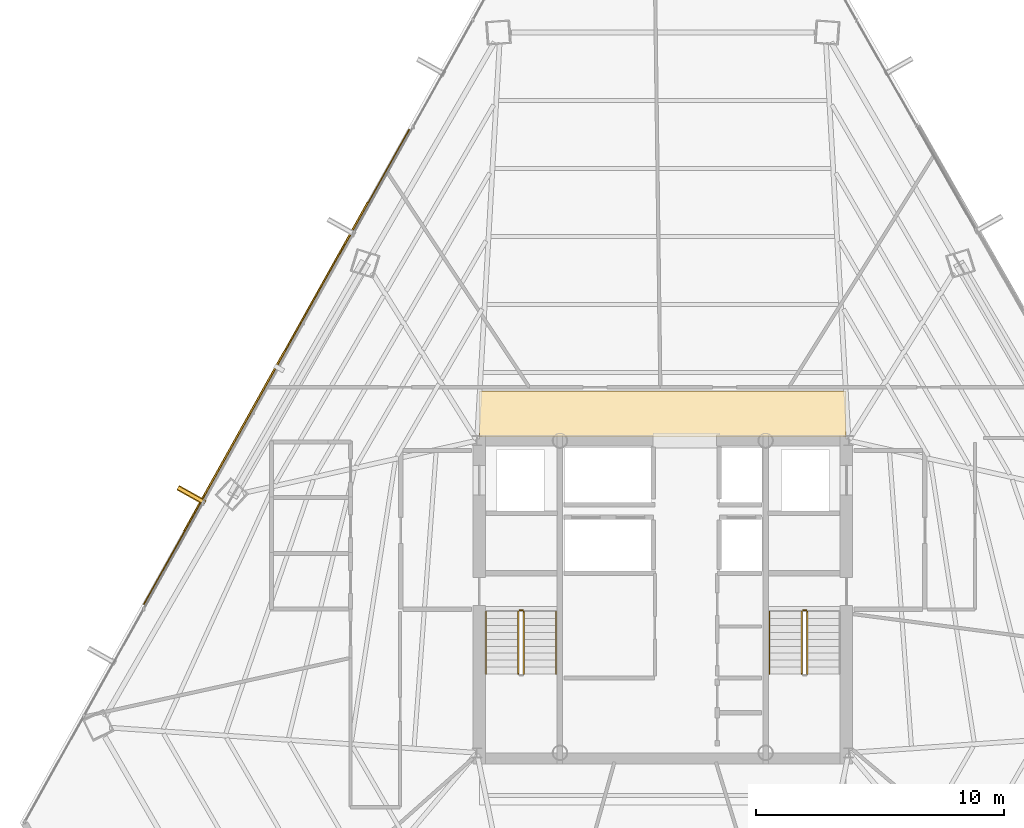
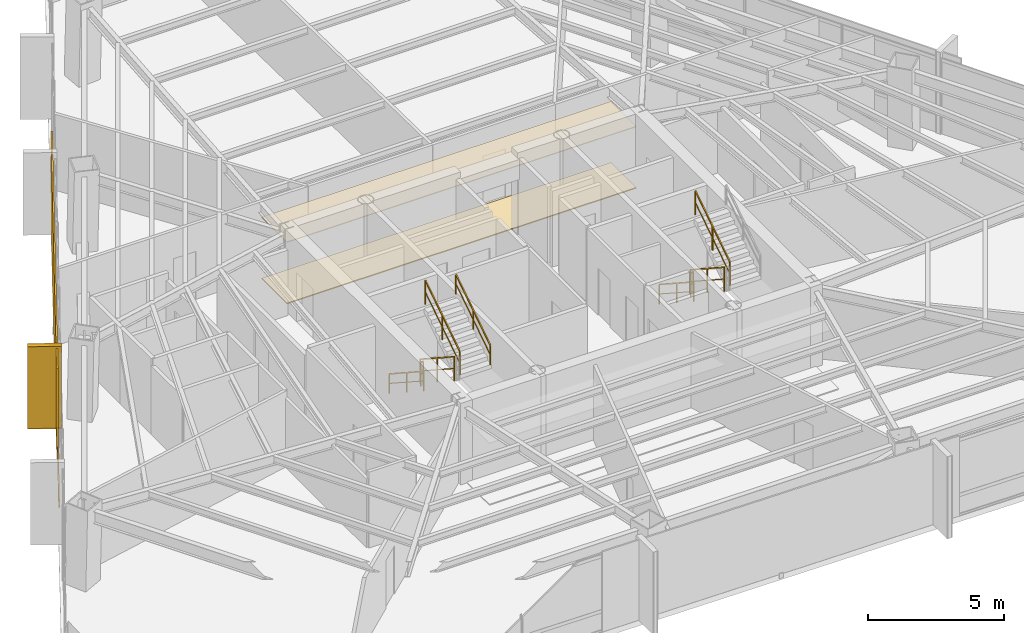
# One storey, part 38 of 39: 9 railings, 4 coverings, 2 shading devices.
"""IFC4 building model written with IfcOpenShell, lengths in metres."""

from ifc_helpers import new_model, si_unit, direction, frame, origin, origin_2d, place, context, subcontext, project, spatial, polyline, rectangle, outline, extrude, source, transform, mapped, material, layer, layer_set, type_object, type_shapes, element, save


model = new_model("IFC4")

# Units and contexts
model_context = context("Model", 3, precision=1e-05, world=origin(), true_north=direction((0.0, 1.0)))
body_context = subcontext(model_context, "Body", "Model", "MODEL_VIEW")
ifc_project = project(units=[si_unit("LENGTHUNIT", "METRE"), si_unit("AREAUNIT", "SQUARE_METRE"), si_unit("VOLUMEUNIT", "CUBIC_METRE"), si_unit("PLANEANGLEUNIT", "RADIAN"), si_unit("MASSUNIT", "GRAM", prefix="KILO")], contexts=[model_context])

# Site, building, storey
site_placement = place(None, origin())
site = spatial("IfcSite", under=ifc_project, at=site_placement, CompositionType="ELEMENT")
building_placement = place(site_placement, origin())
building = spatial("IfcBuilding", under=site, at=building_placement, Name="Caelisora Broadcast Tower", CompositionType="ELEMENT")
storey_placement = place(building_placement, frame((0.0, 0.0, 139.10009765625)))
storey = spatial("IfcBuildingStorey", under=building, at=storey_placement, Name="L36", CompositionType="ELEMENT", Elevation=139.10009765625)

# Coverings
ifc_material_1 = material(Name="Perforated Mineral-Fibre Acoustic Ceiling Tile", Category="gypsum")
ifc_layer_1 = layer(ifc_material_1, 0.034912109375, Name="Perforated Mineral-Fibre Acoustic Ceiling Tile")
ifc_layer_set_1 = layer_set([ifc_layer_1], Name="Perforated Mineral-Fibre Acoustic Ceiling Tile")
covering_type_1 = type_object("IfcCoveringType", Name="CE-1", PredefinedType="CEILING", material=ifc_layer_set_1)
covering_1_placement = place(storey_placement, frame((0.0, 0.0, 2.75)))
element("IfcCovering", 1, at=covering_1_placement, inside=storey, type_object=covering_type_1, Name="L36 acoustic corridor ceiling CE-1 (N)", PredefinedType="CEILING", context=body_context, shape_type="SweptSolid", body=[
    extrude(outline(polyline([(30.60009765625, 30.14990234375), (45.39990234375, 30.14990234375), (45.39990234375, 32.0), (30.60009765625, 32.0), (30.60009765625, 30.14990234375)])), origin(), (0.0, 0.0, 1.0), 0.034912109375),
])
ifc_material_2 = material(Name="Anti-Static Broadcast Raised Access Floor Panel", Category="steel")
ifc_layer_2 = layer(ifc_material_2, 0.044921875, Name="Anti-Static Broadcast Raised Access Floor Panel")
ifc_layer_set_2 = layer_set([ifc_layer_2], Name="Anti-Static Broadcast Raised Access Floor Panel")
covering_type_2 = type_object("IfcCoveringType", Name="FL-1", PredefinedType="FLOORING", material=ifc_layer_set_2)
covering_2_placement = place(storey_placement, origin())
element("IfcCovering", 2, at=covering_2_placement, inside=storey, type_object=covering_type_2, Name="L36 broadcast raised access floor FL-1 (N)", PredefinedType="FLOORING", context=body_context, shape_type="SweptSolid", body=[
    extrude(outline(polyline([(30.60009765625, 30.14990234375), (45.39990234375, 30.14990234375), (45.39990234375, 32.0), (30.60009765625, 32.0), (30.60009765625, 30.14990234375)])), origin(), (0.0, 0.0, 1.0), 0.044921875),
])

# Railings
ifc_material_3 = material(Name="Galvanised Steel Safety Guardrail", Category="steel")
ifc_layer_3 = layer(ifc_material_3, 0.048095703125, Name="Galvanised Steel Safety Guardrail")
ifc_layer_set_3 = layer_set([ifc_layer_3], Name="Galvanised Steel Safety Guardrail")
railing_type_1 = type_object("IfcRailingType", Name="GR-1", PredefinedType="GUARDRAIL", material=ifc_layer_set_3)
railing_1_placement = place(storey_placement, frame((32.169921875, 23.10009765625, 0.182373046875)))
element("IfcRailing", 3, at=railing_1_placement, inside=storey, type_object=railing_type_1, Name="L36 ST-1 stair guard 1", PredefinedType="GUARDRAIL", context=body_context, shape_type="SweptSolid", body=[
    extrude(rectangle(XDim=0.048095703125, YDim=0.048095703125, at=origin_2d()), frame((0.0, 0.0, 1.076171875), z_axis=(0.0, -0.837749427056, 0.546054848405), x_axis=(1.0, 0.0, 0.0)), (0.0, 0.0, 1.0), 3.008056640625),
    extrude(rectangle(XDim=0.03125, YDim=0.03125, at=origin_2d()), frame((0.0, 0.0, 0.550048828125), z_axis=(0.0, -0.837749427056, 0.546054848405), x_axis=(1.0, 0.0, 0.0)), (0.0, 0.0, 1.0), 3.008056640625),
    extrude(rectangle(XDim=0.0419921875, YDim=0.0419921875, at=origin_2d()), origin(), (0.0, 0.0, 1.0), 1.052001953125),
    extrude(rectangle(XDim=0.0419921875, YDim=0.0419921875, at=origin_2d()), frame((0.0, -1.260009765625, 0.8212890625)), (0.0, 0.0, 1.0), 1.052001953125),
    extrude(rectangle(XDim=0.0419921875, YDim=0.0419921875, at=origin_2d()), frame((0.0, -2.52001953125, 1.642578125)), (0.0, 0.0, 1.0), 1.052001953125),
])
railing_2_placement = place(storey_placement, frame((32.389892578125, 20.580078125, 2.00732421875)))
element("IfcRailing", 4, at=railing_2_placement, inside=storey, type_object=railing_type_1, Name="L36 ST-1 stair guard 3", PredefinedType="GUARDRAIL", context=body_context, shape_type="SweptSolid", body=[
    extrude(rectangle(XDim=0.048095703125, YDim=0.048095703125, at=origin_2d()), frame((0.0, 0.0, 1.076171875), z_axis=(0.0, 0.837749427056, 0.546054848405), x_axis=(-1.0, 0.0, 0.0)), (0.0, 0.0, 1.0), 3.008056640625),
    extrude(rectangle(XDim=0.03125, YDim=0.03125, at=origin_2d()), frame((0.0, 0.0, 0.550048828125), z_axis=(0.0, 0.837749427056, 0.546054848405), x_axis=(-1.0, 0.0, 0.0)), (0.0, 0.0, 1.0), 3.008056640625),
    extrude(rectangle(XDim=0.0419921875, YDim=0.0419921875, at=origin_2d()), origin(), (0.0, 0.0, 1.0), 1.052001953125),
    extrude(rectangle(XDim=0.0419921875, YDim=0.0419921875, at=origin_2d()), frame((0.0, 1.260009765625, 0.8212890625)), (0.0, 0.0, 1.0), 1.052001953125),
    extrude(rectangle(XDim=0.0419921875, YDim=0.0419921875, at=origin_2d()), frame((0.0, 2.52001953125, 1.642578125)), (0.0, 0.0, 1.0), 1.052001953125),
])
railing_3_placement = place(storey_placement, frame((32.219970703125, 23.14990234375, 0.0)))
element("IfcRailing", 5, at=railing_3_placement, inside=storey, type_object=railing_type_1, Name="L36 ST-1 stair guard 4", PredefinedType="GUARDRAIL", context=body_context, shape_type="SweptSolid", body=[
    extrude(rectangle(XDim=0.048095703125, YDim=0.048095703125, at=origin_2d()), frame((0.0, 0.0, 1.076171875), z_axis=(1.0, 0.0, 0.0), x_axis=(0.0, 1.0, 0.0)), (0.0, 0.0, 1.0), 0.1201171875),
    extrude(rectangle(XDim=0.03125, YDim=0.03125, at=origin_2d()), frame((0.0, 0.0, 0.550048828125), z_axis=(1.0, 0.0, 0.0), x_axis=(0.0, 1.0, 0.0)), (0.0, 0.0, 1.0), 0.1201171875),
    extrude(rectangle(XDim=0.0419921875, YDim=0.0419921875, at=origin_2d()), origin(), (0.0, 0.0, 1.0), 1.052001953125),
    extrude(rectangle(XDim=0.0419921875, YDim=0.0419921875, at=origin_2d()), frame((0.1201171875, 0.0, 0.0)), (0.0, 0.0, 1.0), 1.052001953125),
])
railing_4_placement = place(storey_placement, frame((43.610107421875, 23.10009765625, 0.182373046875)))
element("IfcRailing", 6, at=railing_4_placement, inside=storey, type_object=railing_type_1, Name="L36 ST-2 stair guard 1", PredefinedType="GUARDRAIL", context=body_context, shape_type="SweptSolid", body=[
    extrude(rectangle(XDim=0.048095703125, YDim=0.048095703125, at=origin_2d()), frame((0.0, 0.0, 1.076171875), z_axis=(0.0, -0.837749427056, 0.546054848405), x_axis=(1.0, 0.0, 0.0)), (0.0, 0.0, 1.0), 3.008056640625),
    extrude(rectangle(XDim=0.03125, YDim=0.03125, at=origin_2d()), frame((0.0, 0.0, 0.550048828125), z_axis=(0.0, -0.837749427056, 0.546054848405), x_axis=(1.0, 0.0, 0.0)), (0.0, 0.0, 1.0), 3.008056640625),
    extrude(rectangle(XDim=0.0419921875, YDim=0.0419921875, at=origin_2d()), origin(), (0.0, 0.0, 1.0), 1.052001953125),
    extrude(rectangle(XDim=0.0419921875, YDim=0.0419921875, at=origin_2d()), frame((0.0, -1.260009765625, 0.8212890625)), (0.0, 0.0, 1.0), 1.052001953125),
    extrude(rectangle(XDim=0.0419921875, YDim=0.0419921875, at=origin_2d()), frame((0.0, -2.52001953125, 1.642578125)), (0.0, 0.0, 1.0), 1.052001953125),
])
railing_5_placement = place(storey_placement, frame((43.830078125, 20.580078125, 2.00732421875)))
element("IfcRailing", 7, at=railing_5_placement, inside=storey, type_object=railing_type_1, Name="L36 ST-2 stair guard 3", PredefinedType="GUARDRAIL", context=body_context, shape_type="SweptSolid", body=[
    extrude(rectangle(XDim=0.048095703125, YDim=0.048095703125, at=origin_2d()), frame((0.0, 0.0, 1.076171875), z_axis=(0.0, 0.837749427056, 0.546054848405), x_axis=(-1.0, 0.0, 0.0)), (0.0, 0.0, 1.0), 3.008056640625),
    extrude(rectangle(XDim=0.03125, YDim=0.03125, at=origin_2d()), frame((0.0, 0.0, 0.550048828125), z_axis=(0.0, 0.837749427056, 0.546054848405), x_axis=(-1.0, 0.0, 0.0)), (0.0, 0.0, 1.0), 3.008056640625),
    extrude(rectangle(XDim=0.0419921875, YDim=0.0419921875, at=origin_2d()), origin(), (0.0, 0.0, 1.0), 1.052001953125),
    extrude(rectangle(XDim=0.0419921875, YDim=0.0419921875, at=origin_2d()), frame((0.0, 1.260009765625, 0.8212890625)), (0.0, 0.0, 1.0), 1.052001953125),
    extrude(rectangle(XDim=0.0419921875, YDim=0.0419921875, at=origin_2d()), frame((0.0, 2.52001953125, 1.642578125)), (0.0, 0.0, 1.0), 1.052001953125),
])
railing_6_placement = place(storey_placement, frame((43.659912109375, 23.14990234375, 0.0)))
element("IfcRailing", 8, at=railing_6_placement, inside=storey, type_object=railing_type_1, Name="L36 ST-2 stair guard 4", PredefinedType="GUARDRAIL", context=body_context, shape_type="SweptSolid", body=[
    extrude(rectangle(XDim=0.048095703125, YDim=0.048095703125, at=origin_2d()), frame((0.0, 0.0, 1.076171875), z_axis=(1.0, 0.0, 0.0), x_axis=(0.0, 1.0, 0.0)), (0.0, 0.0, 1.0), 0.1201171875),
    extrude(rectangle(XDim=0.03125, YDim=0.03125, at=origin_2d()), frame((0.0, 0.0, 0.550048828125), z_axis=(1.0, 0.0, 0.0), x_axis=(0.0, 1.0, 0.0)), (0.0, 0.0, 1.0), 0.1201171875),
    extrude(rectangle(XDim=0.0419921875, YDim=0.0419921875, at=origin_2d()), origin(), (0.0, 0.0, 1.0), 1.052001953125),
    extrude(rectangle(XDim=0.0419921875, YDim=0.0419921875, at=origin_2d()), frame((0.1201171875, 0.0, 0.0)), (0.0, 0.0, 1.0), 1.052001953125),
])
ifc_material_4 = material(Name="Stainless Steel Grade 316 Tubular Handrail", Category="steel")
ifc_layer_4 = layer(ifc_material_4, 0.048095703125, Name="Stainless Steel Grade 316 Tubular Handrail")
ifc_layer_set_4 = layer_set([ifc_layer_4], Name="Stainless Steel Grade 316 Tubular Handrail")
railing_type_2 = type_object("IfcRailingType", Name="HR-1", PredefinedType="HANDRAIL", material=ifc_layer_set_4)
railing_7_placement = place(storey_placement, frame((30.8701171875, 23.10009765625, 0.182373046875)))
element("IfcRailing", 9, at=railing_7_placement, inside=storey, type_object=railing_type_2, Name="L36 ST-1 stair handrail 1", PredefinedType="HANDRAIL", context=body_context, shape_type="SweptSolid", body=[
    extrude(rectangle(XDim=0.048095703125, YDim=0.048095703125, at=origin_2d()), frame((0.0, 0.0, 0.8759765625), z_axis=(0.0, -0.837749427056, 0.546054848405), x_axis=(1.0, 0.0, 0.0)), (0.0, 0.0, 1.0), 3.008056640625),
    extrude(rectangle(XDim=0.03125, YDim=0.03125, at=origin_2d()), frame((0.0, 0.0, 0.449951171875), z_axis=(0.0, -0.837749427056, 0.546054848405), x_axis=(1.0, 0.0, 0.0)), (0.0, 0.0, 1.0), 3.008056640625),
    extrude(rectangle(XDim=0.0419921875, YDim=0.0419921875, at=origin_2d()), origin(), (0.0, 0.0, 1.0), 0.851806640625),
    extrude(rectangle(XDim=0.0419921875, YDim=0.0419921875, at=origin_2d()), frame((0.0, -1.260009765625, 0.8212890625)), (0.0, 0.0, 1.0), 0.851806640625),
    extrude(rectangle(XDim=0.0419921875, YDim=0.0419921875, at=origin_2d()), frame((0.0, -2.52001953125, 1.642578125)), (0.0, 0.0, 1.0), 0.851806640625),
])
railing_8_placement = place(storey_placement, frame((33.68994140625, 20.580078125, 2.00732421875)))
element("IfcRailing", 10, at=railing_8_placement, inside=storey, type_object=railing_type_2, Name="L36 ST-1 stair handrail 2", PredefinedType="HANDRAIL", context=body_context, shape_type="SweptSolid", body=[
    extrude(rectangle(XDim=0.048095703125, YDim=0.048095703125, at=origin_2d()), frame((0.0, 0.0, 0.8759765625), z_axis=(0.0, 0.837749427056, 0.546054848405), x_axis=(-1.0, 0.0, 0.0)), (0.0, 0.0, 1.0), 3.008056640625),
    extrude(rectangle(XDim=0.03125, YDim=0.03125, at=origin_2d()), frame((0.0, 0.0, 0.449951171875), z_axis=(0.0, 0.837749427056, 0.546054848405), x_axis=(-1.0, 0.0, 0.0)), (0.0, 0.0, 1.0), 3.008056640625),
    extrude(rectangle(XDim=0.0419921875, YDim=0.0419921875, at=origin_2d()), origin(), (0.0, 0.0, 1.0), 0.851806640625),
    extrude(rectangle(XDim=0.0419921875, YDim=0.0419921875, at=origin_2d()), frame((0.0, 1.260009765625, 0.8212890625)), (0.0, 0.0, 1.0), 0.851806640625),
    extrude(rectangle(XDim=0.0419921875, YDim=0.0419921875, at=origin_2d()), frame((0.0, 2.52001953125, 1.642578125)), (0.0, 0.0, 1.0), 0.851806640625),
])
railing_9_placement = place(storey_placement, frame((42.31005859375, 23.10009765625, 0.182373046875)))
element("IfcRailing", 11, at=railing_9_placement, inside=storey, type_object=railing_type_2, Name="L36 ST-2 stair handrail 1", PredefinedType="HANDRAIL", context=body_context, shape_type="SweptSolid", body=[
    extrude(rectangle(XDim=0.048095703125, YDim=0.048095703125, at=origin_2d()), frame((0.0, 0.0, 0.8759765625), z_axis=(0.0, -0.837749427056, 0.546054848405), x_axis=(1.0, 0.0, 0.0)), (0.0, 0.0, 1.0), 3.008056640625),
    extrude(rectangle(XDim=0.03125, YDim=0.03125, at=origin_2d()), frame((0.0, 0.0, 0.449951171875), z_axis=(0.0, -0.837749427056, 0.546054848405), x_axis=(1.0, 0.0, 0.0)), (0.0, 0.0, 1.0), 3.008056640625),
    extrude(rectangle(XDim=0.0419921875, YDim=0.0419921875, at=origin_2d()), origin(), (0.0, 0.0, 1.0), 0.851806640625),
    extrude(rectangle(XDim=0.0419921875, YDim=0.0419921875, at=origin_2d()), frame((0.0, -1.260009765625, 0.8212890625)), (0.0, 0.0, 1.0), 0.851806640625),
    extrude(rectangle(XDim=0.0419921875, YDim=0.0419921875, at=origin_2d()), frame((0.0, -2.52001953125, 1.642578125)), (0.0, 0.0, 1.0), 0.851806640625),
])

# Covering
ifc_material_5 = material(Name="Kiln-Fired Terracotta Spandrel Rainscreen Cladding", Category="ceramic")
ifc_layer_5 = layer(ifc_material_5, 0.044921875, Name="Kiln-Fired Terracotta Spandrel Rainscreen Cladding")
ifc_layer_set_5 = layer_set([ifc_layer_5], Name="Kiln-Fired Terracotta Spandrel Rainscreen Cladding")
covering_type_3 = type_object("IfcCoveringType", Name="CL-1", PredefinedType="CLADDING", material=ifc_layer_set_5)
shared_shape_1 = source(origin(), body_context, "Body", "SweptSolid", [
    extrude(rectangle(XDim=0.219970703125, YDim=1.25, at=origin_2d()), origin(), (0.0, 0.0, 1.0), 3.68994140625),
])
covering_3_placement = place(storey_placement, frame((18.97900390625, 27.796630859375, -0.02001953125), z_axis=(0.0, 0.0, 1.0), x_axis=(0.487859659139, 0.87292207727, 0.0)))
element("IfcCovering", 12, at=covering_3_placement, inside=storey, type_object=covering_type_3, Name="L36 vertical solar fin cladding #3-2", PredefinedType="CLADDING", context=body_context, shape_type="MappedRepresentation", body=[
    mapped(shared_shape_1, transform((0.0, 0.0, 0.0), scale=1.0)),
])

# Shading devices
ifc_material_6 = material(Name="Extruded Terracotta Flaring Colonnade Fin", Category="ceramic")
ifc_layer_6 = layer(ifc_material_6, 0.139892578125, Name="Extruded Terracotta Flaring Colonnade Fin")
ifc_layer_set_6 = layer_set([ifc_layer_6], Name="Extruded Terracotta Flaring Colonnade Fin")
shading_device_type_1 = type_object("IfcShadingDeviceType", Name="FN-1", PredefinedType="USERDEFINED", material=ifc_layer_set_6)
shared_shape_2 = source(origin(), body_context, "Body", "SweptSolid", [
    extrude(rectangle(XDim=0.139892578125, YDim=1.25, at=origin_2d()), origin(), (0.0, 0.0, 1.0), 3.669921875),
])
type_shapes(shading_device_type_1, [shared_shape_2])
shading_device_1_placement = place(storey_placement, frame((18.97900390625, 27.796630859375, -0.010009765625), z_axis=(0.0, 0.0, 1.0), x_axis=(0.487859659139, 0.87292207727, 0.0)))
element("IfcShadingDevice", 13, at=shading_device_1_placement, inside=storey, type_object=shading_device_type_1, Name="L36 vertical terracotta fin #3-2", ObjectType="FIN", PredefinedType="USERDEFINED", context=body_context, shape_type="MappedRepresentation", body=[
    mapped(shared_shape_2, transform((0.0, 0.0, 0.0), scale=1.0)),
])
ifc_material_7 = material(Name="Perforated Glazed Terracotta Baguette Solar Screen", Category="ceramic")
ifc_layer_7 = layer(ifc_material_7, 0.06494140625, Name="Perforated Glazed Terracotta Baguette Solar Screen")
ifc_layer_set_7 = layer_set([ifc_layer_7], Name="Perforated Glazed Terracotta Baguette Solar Screen")
shading_device_type_2 = type_object("IfcShadingDeviceType", Name="SS-1", PredefinedType="USERDEFINED", material=ifc_layer_set_7)
shared_shape_3 = source(origin(), body_context, "Body", "SweptSolid", [
    extrude(rectangle(XDim=15.202880859375, YDim=0.06494140625, at=origin_2d()), origin(), (0.0, 0.0, 1.0), 3.590087890625),
])
type_shapes(shading_device_type_2, [shared_shape_3])
shading_device_2_placement = place(storey_placement, frame((22.393798828125, 32.985595703125, 0.0), z_axis=(0.0, 0.0, 1.0), x_axis=(-0.487859659139, -0.87292207727, 0.0)))
element("IfcShadingDevice", 14, at=shading_device_2_placement, inside=storey, type_object=shading_device_type_2, Name="L36 perforated terracotta solar screen #1", ObjectType="SOLAR SCREEN", PredefinedType="USERDEFINED", context=body_context, shape_type="MappedRepresentation", body=[
    mapped(shared_shape_3, transform((0.0, 0.0, 0.0), scale=1.0)),
])

# Covering
shared_shape_4 = source(origin(), body_context, "Body", "SweptSolid", [
    extrude(rectangle(XDim=21.9599609375, YDim=0.044921875, at=origin_2d()), origin(), (0.0, 0.0, 1.0), 0.340087890625),
])
type_shapes(covering_type_3, [shared_shape_1, shared_shape_4])
covering_4_placement = place(storey_placement, frame((22.411376953125, 32.9755859375, -0.27001953125), z_axis=(0.0, 0.0, 1.0), x_axis=(-0.487859659139, -0.87292207727, 0.0)))
element("IfcCovering", 15, at=covering_4_placement, inside=storey, type_object=covering_type_3, Name="L36 terracotta spandrel rainscreen #1", PredefinedType="CLADDING", context=body_context, shape_type="MappedRepresentation", body=[
    mapped(shared_shape_4, transform((0.0, 0.0, 0.0), scale=1.0)),
])

save(model, "model.ifc")
